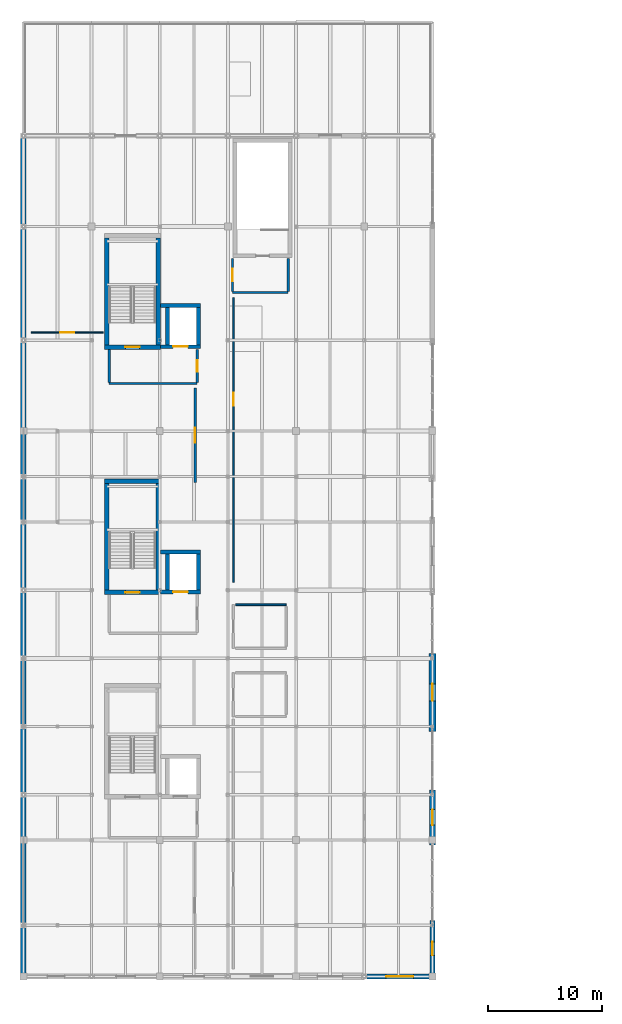
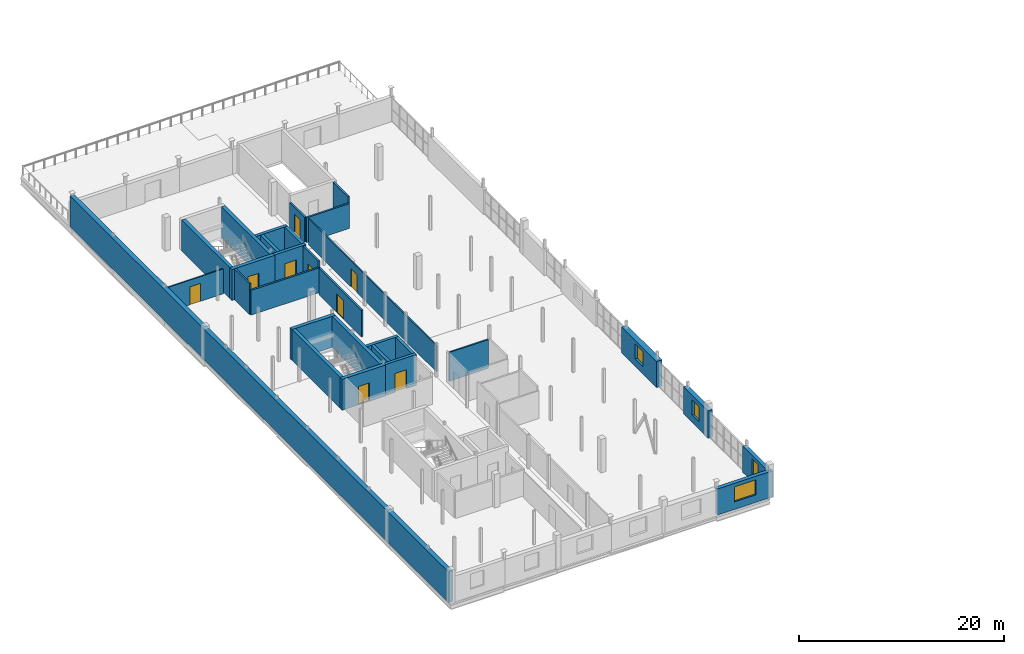
# One storey, part 31 of 35: 30 walls, 9 doors, 4 windows, 13 openings.
"""IFC4 building model written with IfcOpenShell, lengths in metres."""

from ifc_helpers import new_model, si_unit, direction, frame, frame_2d, origin, place, context, subcontext, project, spatial, rectangle, extrude, material, layer, layer_set, type_object, element, fill, save


model = new_model("IFC4")

# Units and contexts
model_context = context("Model", 3, precision=1e-05, world=origin(), true_north=direction((0.0, 1.0)))
body_context = subcontext(model_context, "Body", "Model", "MODEL_VIEW")
ifc_project = project(units=[si_unit("LENGTHUNIT", "METRE"), si_unit("AREAUNIT", "SQUARE_METRE"), si_unit("VOLUMEUNIT", "CUBIC_METRE"), si_unit("PLANEANGLEUNIT", "RADIAN"), si_unit("MASSUNIT", "GRAM", prefix="KILO")], contexts=[model_context])

# Site, building, storey
site_placement = place(None, origin())
site = spatial("IfcSite", under=ifc_project, at=site_placement, CompositionType="ELEMENT")
building_placement = place(site_placement, origin())
building = spatial("IfcBuilding", under=site, at=building_placement, Name="Verrall Gate Interchange", CompositionType="ELEMENT")
storey_placement = place(building_placement, frame((0.0, 0.0, 15.39990234375)))
storey = spatial("IfcBuildingStorey", under=building, at=storey_placement, Name="L04", CompositionType="ELEMENT", Elevation=15.39990234375)

# Wall, opening, window
ifc_material_1 = material(Name="Tyndall Dolomitic Limestone Ashlar Cavity Assembly (U=0.18)", Category="masonry")
ifc_layer_1 = layer(ifc_material_1, 0.419921875)
ifc_layer_set_1 = layer_set([ifc_layer_1], Name="Tyndall Dolomitic Limestone Ashlar Cavity Assembly (U=0.18)")
wall_type_1 = type_object("IfcWallType", Name="EW-01 Exterior Solid Wall 420", PredefinedType="SOLIDWALL", material=ifc_layer_set_1)
wall_1_placement = place(storey_placement, frame((29.991943359375, 0.0, 0.0), z_axis=(0.0, 0.0, 1.0), x_axis=(1.0, 0.0, 0.0)))
wall_1 = element("IfcWall", 1, at=wall_1_placement, inside=storey, type_object=wall_type_1, Name="L04 Classical Limestone Facade Wall 110", PredefinedType="SOLIDWALL", context=body_context, shape_type="SweptSolid", body=[
    extrude(rectangle(XDim=6.258056640625, YDim=0.419921875, at=frame_2d((3.12890625, 0.0))), origin(), (0.0, 0.0, 1.0), 3.111083984375),
])
opening_1_placement = place(wall_1_placement, frame((1.928955078125, 0.0, 0.89990234375)))
opening_1 = element("IfcOpeningElement", 2, at=opening_1_placement, cuts=wall_1, Name="Opening WN-08", PredefinedType="OPENING", context=body_context, shape_type="SweptSolid", body=[
    extrude(rectangle(XDim=2.39990234375, YDim=1.800048828125, at=frame_2d((1.199951171875, 0.89990234375))), frame((0.0, 0.224853515625, 0.0), z_axis=(0.0, -1.0, 0.0), x_axis=(1.0, 0.0, 0.0)), (0.0, 0.0, 1.0), 0.44970703125),
])
ifc_material_2 = material(Name="Triple-Glazed Low-E Argon Bronze-Clad Window Unit (U=1.40)", Category="glass")
window_type_1 = type_object("IfcWindowType", Name="WN-08 Classical Deep-Reveal Window 2400x1800", PartitioningType="SINGLE_PANEL", PredefinedType="WINDOW", material=ifc_material_2)
window_1_placement = place(opening_1_placement, origin())
window_1 = element("IfcWindow", 3, at=window_1_placement, inside=storey, type_object=window_type_1, Name="L04 Classical Window 057 (WN-08)", OverallHeight=1.800048828125, OverallWidth=2.39990234375, PartitioningType="SINGLE_PANEL", PredefinedType="WINDOW", context=body_context, shape_type="SweptSolid", body=[
    extrude(rectangle(XDim=2.39990234375, YDim=1.800048828125, at=frame_2d((1.199951171875, 0.89990234375))), frame((0.0, 0.030029296875, 0.0), z_axis=(0.0, -1.0, 0.0), x_axis=(1.0, 0.0, 0.0)), (0.0, 0.0, 1.0), 0.06005859375),
])
fill(opening_1, window_1)

wall_2_placement = place(storey_placement, frame((36.0, -0.008056640625, 0.0), z_axis=(0.0, 0.0, 1.0), x_axis=(0.0, 1.0, 0.0)))
wall_2 = element("IfcWall", 4, at=wall_2_placement, inside=storey, type_object=wall_type_1, Name="L04 Classical Limestone Facade Wall 111", PredefinedType="SOLIDWALL", context=body_context, shape_type="SweptSolid", body=[
    extrude(rectangle(XDim=4.927978515625, YDim=0.419921875, at=frame_2d((2.4638671875, 0.0))), origin(), (0.0, 0.0, 1.0), 3.111083984375),
])
opening_2_placement = place(wall_2_placement, frame((1.864013671875, 0.0, 0.89990234375)))
opening_2 = element("IfcOpeningElement", 5, at=opening_2_placement, cuts=wall_2, Name="Opening WN-01", PredefinedType="OPENING", context=body_context, shape_type="SweptSolid", body=[
    extrude(rectangle(XDim=1.199951171875, YDim=1.800048828125, at=frame_2d((0.60009765625, 0.89990234375))), frame((0.0, 0.224853515625, 0.0), z_axis=(0.0, -1.0, 0.0), x_axis=(1.0, 0.0, 0.0)), (0.0, 0.0, 1.0), 0.44970703125),
])
ifc_material_3 = material(Name="Triple-Glazed Low-E Argon Bronze-Clad Window Unit (U=1.40)", Category="glass")
window_type_2 = type_object("IfcWindowType", Name="WN-01 Classical Deep-Reveal Window 1200x1800", PartitioningType="SINGLE_PANEL", PredefinedType="WINDOW", material=ifc_material_3)
window_2_placement = place(opening_2_placement, origin())
window_2 = element("IfcWindow", 6, at=window_2_placement, inside=storey, type_object=window_type_2, Name="L04 Classical Window 058 (WN-01)", OverallHeight=1.800048828125, OverallWidth=1.199951171875, PartitioningType="SINGLE_PANEL", PredefinedType="WINDOW", context=body_context, shape_type="SweptSolid", body=[
    extrude(rectangle(XDim=1.199951171875, YDim=1.800048828125, at=frame_2d((0.60009765625, 0.89990234375))), frame((0.0, 0.030029296875, 0.0), z_axis=(0.0, -1.0, 0.0), x_axis=(1.0, 0.0, 0.0)), (0.0, 0.0, 1.0), 0.06005859375),
])
fill(opening_2, window_2)

ifc_material_4 = material(Name="Prairie Charcoal Granite Plinth Rainscreen Assembly (U=0.18)", Category="masonry")
ifc_layer_2 = layer(ifc_material_4, 0.52001953125)
ifc_layer_set_2 = layer_set([ifc_layer_2], Name="Prairie Charcoal Granite Plinth Rainscreen Assembly (U=0.18)")
wall_type_2 = type_object("IfcWallType", Name="EW-03 Exterior Solid Wall 520", PredefinedType="SOLIDWALL", material=ifc_layer_set_2)
wall_3_placement = place(storey_placement, frame((36.0, 11.580078125, 0.0), z_axis=(0.0, 0.0, 1.0), x_axis=(0.0, 1.0, 0.0)))
wall_3 = element("IfcWall", 7, at=wall_3_placement, inside=storey, type_object=wall_type_2, Name="L04 Classical Limestone Facade Wall 112", PredefinedType="SOLIDWALL", context=body_context, shape_type="SweptSolid", body=[
    extrude(rectangle(XDim=4.83984375, YDim=0.52001953125, at=frame_2d((2.419921875, 0.0))), origin(), (0.0, 0.0, 1.0), 3.239990234375),
])
opening_3_placement = place(wall_3_placement, frame((1.7451171875, 0.0, 0.89990234375)))
opening_3 = element("IfcOpeningElement", 8, at=opening_3_placement, cuts=wall_3, Name="Opening WN-02", PredefinedType="OPENING", context=body_context, shape_type="SweptSolid", body=[
    extrude(rectangle(XDim=1.35009765625, YDim=1.800048828125, at=frame_2d((0.675048828125, 0.89990234375))), frame((0.0, 0.27490234375, 0.0), z_axis=(0.0, -1.0, 0.0), x_axis=(1.0, 0.0, 0.0)), (0.0, 0.0, 1.0), 0.5498046875),
])
ifc_material_5 = material(Name="Triple-Glazed Low-E Argon Bronze-Clad Window Unit (U=1.40)", Category="glass")
window_type_3 = type_object("IfcWindowType", Name="WN-02 Classical Deep-Reveal Window 1350x1800", PartitioningType="SINGLE_PANEL", PredefinedType="WINDOW", material=ifc_material_5)
window_3_placement = place(opening_3_placement, origin())
window_3 = element("IfcWindow", 9, at=window_3_placement, inside=storey, type_object=window_type_3, Name="L04 Classical Window 059 (WN-02)", OverallHeight=1.800048828125, OverallWidth=1.35009765625, PartitioningType="SINGLE_PANEL", PredefinedType="WINDOW", context=body_context, shape_type="SweptSolid", body=[
    extrude(rectangle(XDim=1.35009765625, YDim=1.800048828125, at=frame_2d((0.675048828125, 0.89990234375))), frame((0.0, 0.030029296875, 0.0), z_axis=(0.0, -1.0, 0.0), x_axis=(1.0, 0.0, 0.0)), (0.0, 0.0, 1.0), 0.06005859375),
])
fill(opening_3, window_3)

ifc_material_6 = material(Name="Prairie Charcoal Granite Plinth Rainscreen Assembly (U=0.18)", Category="masonry")
ifc_layer_3 = layer(ifc_material_6, 0.6201171875)
ifc_layer_set_3 = layer_set([ifc_layer_3], Name="Prairie Charcoal Granite Plinth Rainscreen Assembly (U=0.18)")
wall_type_3 = type_object("IfcWallType", Name="EW-05 Exterior Solid Wall 620", PredefinedType="SOLIDWALL", material=ifc_layer_set_3)
wall_4_placement = place(storey_placement, frame((36.0, 21.580078125, 0.0), z_axis=(0.0, 0.0, 1.0), x_axis=(0.0, 1.0, 0.0)))
wall_4 = element("IfcWall", 10, at=wall_4_placement, inside=storey, type_object=wall_type_3, Name="L04 Classical Limestone Facade Wall 113", PredefinedType="SOLIDWALL", context=body_context, shape_type="SweptSolid", body=[
    extrude(rectangle(XDim=6.83984375, YDim=0.6201171875, at=frame_2d((3.419921875, 0.0))), origin(), (0.0, 0.0, 1.0), 3.111083984375),
])
opening_4_placement = place(wall_4_placement, frame((2.669921875, 0.0, 0.89990234375)))
opening_4 = element("IfcOpeningElement", 11, at=opening_4_placement, cuts=wall_4, Name="Opening WN-03", PredefinedType="OPENING", context=body_context, shape_type="SweptSolid", body=[
    extrude(rectangle(XDim=1.5, YDim=1.800048828125, at=frame_2d((0.75, 0.89990234375))), frame((0.0, 0.324951171875, 0.0), z_axis=(0.0, -1.0, 0.0), x_axis=(1.0, 0.0, 0.0)), (0.0, 0.0, 1.0), 0.64990234375),
])
ifc_material_7 = material(Name="Triple-Glazed Low-E Argon Bronze-Clad Window Unit (U=1.40)", Category="glass")
window_type_4 = type_object("IfcWindowType", Name="WN-03 Classical Deep-Reveal Window 1500x1800", PartitioningType="SINGLE_PANEL", PredefinedType="WINDOW", material=ifc_material_7)
window_4_placement = place(opening_4_placement, origin())
window_4 = element("IfcWindow", 12, at=window_4_placement, inside=storey, type_object=window_type_4, Name="L04 Classical Window 060 (WN-03)", OverallHeight=1.800048828125, OverallWidth=1.5, PartitioningType="SINGLE_PANEL", PredefinedType="WINDOW", context=body_context, shape_type="SweptSolid", body=[
    extrude(rectangle(XDim=1.5, YDim=1.800048828125, at=frame_2d((0.75, 0.89990234375))), frame((0.0, 0.030029296875, 0.0), z_axis=(0.0, -1.0, 0.0), x_axis=(1.0, 0.0, 0.0)), (0.0, 0.0, 1.0), 0.06005859375),
])
fill(opening_4, window_4)

# Walls
ifc_material_8 = material(Name="Concrete CSA A23.1 35 MPa Zero-Lot 2h Party Wall (U=0.18)", Category="concrete")
ifc_layer_4 = layer(ifc_material_8, 0.5)
ifc_layer_set_4 = layer_set([ifc_layer_4], Name="Concrete CSA A23.1 35 MPa Zero-Lot 2h Party Wall (U=0.18)")
wall_type_4 = type_object("IfcWallType", Name="EW-PTY Exterior Solid Wall 500", PredefinedType="SOLIDWALL", material=ifc_layer_set_4)
wall_5_placement = place(storey_placement, frame((0.0, -0.008056640625, 0.0), z_axis=(0.0, 0.0, 1.0), x_axis=(0.0, 1.0, 0.0)))
element("IfcWall", 13, at=wall_5_placement, inside=storey, type_object=wall_type_4, Name="L04 West Zero-Lot 2h Party Wall 004", PredefinedType="SOLIDWALL", context=body_context, shape_type="SweptSolid", body=[
    extrude(rectangle(XDim=74.01611328125, YDim=0.5, at=frame_2d((37.008056640625, 0.0))), origin(), (0.0, 0.0, 1.0), 3.68017578125),
])
ifc_material_9 = material(Name="Fire-Rated Type X Gypsum Stud Partition Assembly (60 min)", Category="gypsum")
ifc_layer_5 = layer(ifc_material_9, 0.199951171875)
ifc_layer_set_5 = layer_set([ifc_layer_5], Name="Fire-Rated Type X Gypsum Stud Partition Assembly (60 min)")
wall_type_5 = type_object("IfcWallType", Name="IW-01 Interior Partition Wall 200", PredefinedType="PARTITIONING", material=ifc_layer_set_5)
wall_6_placement = place(storey_placement, frame((7.550048828125, 52.199951171875, 0.0), z_axis=(0.0, 0.0, 1.0), x_axis=(1.0, 0.0, 0.0)))
element("IfcWall", 14, at=wall_6_placement, inside=storey, type_object=wall_type_5, Name="L04 Core C3 Lobby South Rated Wall", PredefinedType="PARTITIONING", context=body_context, shape_type="SweptSolid", body=[
    extrude(rectangle(XDim=7.75, YDim=0.199951171875, at=frame_2d((3.875, 0.0))), origin(), (0.0, 0.0, 1.0), 2.95703125),
])
wall_7_placement = place(storey_placement, frame((7.550048828125, 55.199951171875, 0.0), z_axis=(0.0, 0.0, 1.0), x_axis=(0.0, -1.0, 0.0)))
element("IfcWall", 15, at=wall_7_placement, inside=storey, type_object=wall_type_5, Name="L04 Core C3 Lobby West Rated Wall", PredefinedType="PARTITIONING", context=body_context, shape_type="SweptSolid", body=[
    extrude(rectangle(XDim=2.919921875, YDim=0.199951171875, at=frame_2d((1.4599609375, 0.0))), origin(), (0.0, 0.0, 1.0), 3.68017578125),
])

# Wall, opening, door
wall_8_placement = place(storey_placement, frame((15.300048828125, 52.280029296875, 0.0), z_axis=(0.0, 0.0, 1.0), x_axis=(0.0, 1.0, 0.0)))
wall_8 = element("IfcWall", 16, at=wall_8_placement, inside=storey, type_object=wall_type_5, Name="L04 Core C3 Lobby East Rated Wall", PredefinedType="PARTITIONING", context=body_context, shape_type="SweptSolid", body=[
    extrude(rectangle(XDim=2.919921875, YDim=0.199951171875, at=frame_2d((1.4599609375, 0.0))), origin(), (0.0, 0.0, 1.0), 3.68017578125),
])
opening_5_placement = place(wall_8_placement, frame((0.9599609375, 0.0, 0.0)))
opening_5 = element("IfcOpeningElement", 17, at=opening_5_placement, cuts=wall_8, Name="Opening LBD049", PredefinedType="OPENING", context=body_context, shape_type="SweptSolid", body=[
    extrude(rectangle(XDim=1.0, YDim=2.14990234375, at=frame_2d((0.5, 1.074951171875))), frame((0.0, 0.11474609375, 0.0), z_axis=(0.0, -1.0, 0.0), x_axis=(1.0, 0.0, 0.0)), (0.0, 0.0, 1.0), 0.229736328125),
])
ifc_material_10 = material(Name="Hollow-Metal Fire-Rated Door Assembly", Category="metal")
door_type_1 = type_object("IfcDoorType", Name="ID-05 Interior Swing Door 1000x2150", OperationType="NOTDEFINED", PredefinedType="DOOR", material=ifc_material_10)
door_1_placement = place(opening_5_placement, origin())
door_1 = element("IfcDoor", 18, at=door_1_placement, inside=storey, type_object=door_type_1, Name="L04 Core C3 Lobby Fire Door LBD049", OperationType="SINGLE_SWING_LEFT", OverallHeight=2.14990234375, OverallWidth=1.0, PredefinedType="DOOR", context=body_context, shape_type="SweptSolid", body=[
    extrude(rectangle(XDim=1.0, YDim=2.14990234375, at=frame_2d((0.5, 1.074951171875))), frame((0.0, 0.02490234375, 0.0), z_axis=(0.0, -1.0, 0.0), x_axis=(1.0, 0.0, 0.0)), (0.0, 0.0, 1.0), 0.050048828125),
])
fill(opening_5, door_1)

# Wall
wall_9_placement = place(storey_placement, frame((18.39990234375, 60.199951171875, 0.0), z_axis=(0.0, 0.0, 1.0), x_axis=(1.0, 0.0, 0.0)))
element("IfcWall", 19, at=wall_9_placement, inside=storey, type_object=wall_type_5, Name="L04 Core C4 Lobby South Rated Wall", PredefinedType="PARTITIONING", context=body_context, shape_type="SweptSolid", body=[
    extrude(rectangle(XDim=4.900146484375, YDim=0.199951171875, at=frame_2d((2.4501953125, 0.0))), origin(), (0.0, 0.0, 1.0), 2.95703125),
])

# Wall, opening, door
wall_10_placement = place(storey_placement, frame((18.39990234375, 63.199951171875, 0.0), z_axis=(0.0, 0.0, 1.0), x_axis=(0.0, -1.0, 0.0)))
wall_10 = element("IfcWall", 20, at=wall_10_placement, inside=storey, type_object=wall_type_5, Name="L04 Core C4 Lobby West Rated Wall", PredefinedType="PARTITIONING", context=body_context, shape_type="SweptSolid", body=[
    extrude(rectangle(XDim=2.919921875, YDim=0.199951171875, at=frame_2d((1.4599609375, 0.0))), origin(), (0.0, 0.0, 1.0), 2.95703125),
])
opening_6_placement = place(wall_10_placement, frame((0.909912109375, 0.0, 0.0)))
opening_6 = element("IfcOpeningElement", 21, at=opening_6_placement, cuts=wall_10, Name="Opening LBD062", PredefinedType="OPENING", context=body_context, shape_type="SweptSolid", body=[
    extrude(rectangle(XDim=1.10009765625, YDim=2.14990234375, at=frame_2d((0.550048828125, 1.074951171875))), frame((0.0, 0.11474609375, 0.0), z_axis=(0.0, -1.0, 0.0), x_axis=(1.0, 0.0, 0.0)), (0.0, 0.0, 1.0), 0.229736328125),
])
ifc_material_11 = material(Name="Hollow-Metal Fire-Rated Door Assembly", Category="metal")
door_type_2 = type_object("IfcDoorType", Name="ID-06 Interior Swing Door 1100x2150", OperationType="NOTDEFINED", PredefinedType="DOOR", material=ifc_material_11)
door_2_placement = place(opening_6_placement, origin())
door_2 = element("IfcDoor", 22, at=door_2_placement, inside=storey, type_object=door_type_2, Name="L04 Core C4 Lobby Fire Door LBD062", OperationType="SINGLE_SWING_RIGHT", OverallHeight=2.14990234375, OverallWidth=1.10009765625, PredefinedType="DOOR", context=body_context, shape_type="SweptSolid", body=[
    extrude(rectangle(XDim=1.10009765625, YDim=2.14990234375, at=frame_2d((0.550048828125, 1.074951171875))), frame((0.0, 0.02490234375, 0.0), z_axis=(0.0, -1.0, 0.0), x_axis=(1.0, 0.0, 0.0)), (0.0, 0.0, 1.0), 0.050048828125),
])
fill(opening_6, door_2)

# Wall
wall_11_placement = place(storey_placement, frame((23.300048828125, 60.280029296875, 0.0), z_axis=(0.0, 0.0, 1.0), x_axis=(0.0, 1.0, 0.0)))
element("IfcWall", 23, at=wall_11_placement, inside=storey, type_object=wall_type_5, Name="L04 Core C4 Lobby East Rated Wall", PredefinedType="PARTITIONING", context=body_context, shape_type="SweptSolid", body=[
    extrude(rectangle(XDim=2.919921875, YDim=0.199951171875, at=frame_2d((1.4599609375, 0.0))), origin(), (0.0, 0.0, 1.0), 3.68017578125),
])

# Wall, opening, door
wall_12_placement = place(storey_placement, frame((15.1201171875, 51.802490234375, 0.0), z_axis=(0.0, 0.0, 1.0), x_axis=(0.0, -1.0, 0.0)))
wall_12 = element("IfcWall", 24, at=wall_12_placement, inside=storey, type_object=wall_type_5, Name="L04 Simulator Computer and Electrical Room Partition 076", PredefinedType="PARTITIONING", context=body_context, shape_type="SweptSolid", body=[
    extrude(rectangle(XDim=8.322509765625, YDim=0.199951171875, at=frame_2d((4.1611328125, 0.0))), origin(), (0.0, 0.0, 1.0), 3.18701171875),
])
opening_7_placement = place(wall_12_placement, frame((3.501220703125, 0.0, 0.0)))
opening_7 = element("IfcOpeningElement", 25, at=opening_7_placement, cuts=wall_12, Name="Opening D054", PredefinedType="OPENING", context=body_context, shape_type="SweptSolid", body=[
    extrude(rectangle(XDim=1.320068359375, YDim=2.199951171875, at=frame_2d((0.66015625, 1.10009765625))), frame((0.0, 0.11474609375, 0.0), z_axis=(0.0, -1.0, 0.0), x_axis=(1.0, 0.0, 0.0)), (0.0, 0.0, 1.0), 0.229736328125),
])
ifc_material_12 = material(Name="Hollow-Metal Fire-Rated Door Assembly", Category="metal")
door_type_3 = type_object("IfcDoorType", Name="ID-08 Interior Swing Door 1320x2200", OperationType="NOTDEFINED", PredefinedType="DOOR", material=ifc_material_12)
door_3_placement = place(opening_7_placement, origin())
door_3 = element("IfcDoor", 26, at=door_3_placement, inside=storey, type_object=door_type_3, Name="L04 Simulator Computer and Electrical Room Door D054", OperationType="SINGLE_SWING_LEFT", OverallHeight=2.199951171875, OverallWidth=1.320068359375, PredefinedType="DOOR", context=body_context, shape_type="SweptSolid", body=[
    extrude(rectangle(XDim=1.320068359375, YDim=2.199951171875, at=frame_2d((0.66015625, 1.10009765625))), frame((0.0, 0.02490234375, 0.0), z_axis=(0.0, -1.0, 0.0), x_axis=(1.0, 0.0, 0.0)), (0.0, 0.0, 1.0), 0.050048828125),
])
fill(opening_7, door_3)

# Wall
ifc_material_13 = material(Name="Fire-Rated Type X Gypsum Stud Partition Assembly (60 min)", Category="gypsum")
ifc_layer_6 = layer(ifc_material_13, 0.159912109375)
ifc_layer_set_6 = layer_set([ifc_layer_6], Name="Fire-Rated Type X Gypsum Stud Partition Assembly (60 min)")
wall_type_6 = type_object("IfcWallType", Name="IW-02 Interior Partition Wall 160", PredefinedType="PARTITIONING", material=ifc_layer_set_6)
wall_13_placement = place(storey_placement, frame((18.679931640625, 32.719970703125, 0.0), z_axis=(0.0, 0.0, 1.0), x_axis=(1.0, 0.0, 0.0)))
element("IfcWall", 27, at=wall_13_placement, inside=storey, type_object=wall_type_6, Name="L04 L04 Accessible Washroom Partition 069", PredefinedType="PARTITIONING", context=body_context, shape_type="SweptSolid", body=[
    extrude(rectangle(XDim=4.440185546875, YDim=0.159912109375, at=frame_2d((2.22021484375, 0.0))), origin(), (0.0, 0.0, 1.0), 3.447021484375),
])

# Wall, opening, door
ifc_material_14 = material(Name="Acoustic Steel-Stud Partition Assembly", Category="steel")
ifc_layer_7 = layer(ifc_material_14, 0.139892578125)
ifc_layer_set_7 = layer_set([ifc_layer_7], Name="Acoustic Steel-Stud Partition Assembly")
wall_type_7 = type_object("IfcWallType", Name="IW-03 Interior Partition Wall 140", PredefinedType="PARTITIONING", material=ifc_layer_set_7)
wall_14_placement = place(storey_placement, frame((18.47998046875, 34.679931640625, 0.0), z_axis=(0.0, 0.0, 1.0), x_axis=(0.0, 1.0, 0.0)))
wall_14 = element("IfcWall", 28, at=wall_14_placement, inside=storey, type_object=wall_type_7, Name="L04 Signalling Training Classroom Partition 073", PredefinedType="PARTITIONING", context=body_context, shape_type="SweptSolid", body=[
    extrude(rectangle(XDim=25.06396484375, YDim=0.139892578125, at=frame_2d((12.531982421875, 0.0))), origin(), (0.0, 0.0, 1.0), 3.111083984375),
])
opening_8_placement = place(wall_14_placement, frame((15.550537109375, 0.0, 0.0)))
opening_8 = element("IfcOpeningElement", 29, at=opening_8_placement, cuts=wall_14, Name="Opening D051", PredefinedType="OPENING", context=body_context, shape_type="SweptSolid", body=[
    extrude(rectangle(XDim=1.139892578125, YDim=2.14990234375, at=frame_2d((0.56982421875, 1.074951171875))), frame((0.0, 0.0849609375, 0.0), z_axis=(0.0, -1.0, 0.0), x_axis=(1.0, 0.0, 0.0)), (0.0, 0.0, 1.0), 0.169677734375),
])
ifc_material_15 = material(Name="Architectural Solid-Core Birch Acoustic Door Assembly", Category="wood")
door_type_4 = type_object("IfcDoorType", Name="ID-14 Interior Swing Door 1140x2150", OperationType="NOTDEFINED", PredefinedType="DOOR", material=ifc_material_15)
door_4_placement = place(opening_8_placement, origin())
door_4 = element("IfcDoor", 30, at=door_4_placement, inside=storey, type_object=door_type_4, Name="L04 Signalling Training Classroom Door D051", OperationType="SINGLE_SWING_RIGHT", OverallHeight=2.14990234375, OverallWidth=1.139892578125, PredefinedType="DOOR", context=body_context, shape_type="SweptSolid", body=[
    extrude(rectangle(XDim=1.139892578125, YDim=2.14990234375, at=frame_2d((0.56982421875, 1.074951171875))), frame((0.0, 0.02490234375, 0.0), z_axis=(0.0, -1.0, 0.0), x_axis=(1.0, 0.0, 0.0)), (0.0, 0.0, 1.0), 0.050048828125),
])
fill(opening_8, door_4)

ifc_material_16 = material(Name="Acoustic Steel-Stud Partition Assembly", Category="steel")
ifc_layer_8 = layer(ifc_material_16, 0.1201171875)
ifc_layer_set_8 = layer_set([ifc_layer_8], Name="Acoustic Steel-Stud Partition Assembly")
wall_type_8 = type_object("IfcWallType", Name="IW-04 Interior Partition Wall 120", PredefinedType="PARTITIONING", material=ifc_layer_set_8)
wall_15_placement = place(storey_placement, frame((7.030029296875, 56.679931640625, 0.0), z_axis=(0.0, 0.0, 1.0), x_axis=(-1.0, 0.0, 0.0)))
wall_15 = element("IfcWall", 31, at=wall_15_placement, inside=storey, type_object=wall_type_8, Name="L04 Network Engineering Office Partition 074", PredefinedType="PARTITIONING", context=body_context, shape_type="SweptSolid", body=[
    extrude(rectangle(XDim=6.35009765625, YDim=0.1201171875, at=frame_2d((3.175048828125, 0.0))), origin(), (0.0, 0.0, 1.0), 2.95703125),
])
opening_9_placement = place(wall_15_placement, frame((2.574951171875, 0.0, 0.0)))
opening_9 = element("IfcOpeningElement", 32, at=opening_9_placement, cuts=wall_15, Name="Opening D052", PredefinedType="OPENING", context=body_context, shape_type="SweptSolid", body=[
    extrude(rectangle(XDim=1.199951171875, YDim=2.14990234375, at=frame_2d((0.60009765625, 1.074951171875))), frame((0.0, 0.074951171875, 0.0), z_axis=(0.0, -1.0, 0.0), x_axis=(1.0, 0.0, 0.0)), (0.0, 0.0, 1.0), 0.14990234375),
])
ifc_material_17 = material(Name="Architectural Solid-Core Birch Acoustic Door Assembly", Category="wood")
door_type_5 = type_object("IfcDoorType", Name="ID-15 Interior Swing Door 1200x2150", OperationType="NOTDEFINED", PredefinedType="DOOR", material=ifc_material_17)
door_5_placement = place(opening_9_placement, origin())
door_5 = element("IfcDoor", 33, at=door_5_placement, inside=storey, type_object=door_type_5, Name="L04 Network Engineering Office Door D052", OperationType="SINGLE_SWING_LEFT", OverallHeight=2.14990234375, OverallWidth=1.199951171875, PredefinedType="DOOR", context=body_context, shape_type="SweptSolid", body=[
    extrude(rectangle(XDim=1.199951171875, YDim=2.14990234375, at=frame_2d((0.60009765625, 1.074951171875))), frame((0.0, 0.02490234375, 0.0), z_axis=(0.0, -1.0, 0.0), x_axis=(1.0, 0.0, 0.0)), (0.0, 0.0, 1.0), 0.050048828125),
])
fill(opening_9, door_5)

ifc_material_18 = material(Name="Concrete CSA A23.1 40 MPa (Class N)", Category="concrete")
ifc_layer_9 = layer(ifc_material_18, 0.39990234375)
ifc_layer_set_9 = layer_set([ifc_layer_9], Name="Concrete CSA A23.1 40 MPa (Class N)")
wall_type_9 = type_object("IfcWallType", Name="SW-01 Core Shear Wall 400", PredefinedType="SHEAR", material=ifc_layer_set_9)
wall_16_placement = place(storey_placement, frame((7.14990234375, 33.800048828125, 0.0), z_axis=(0.0, 0.0, 1.0), x_axis=(1.0, 0.0, 0.0)))
wall_16 = element("IfcWall", 34, at=wall_16_placement, inside=storey, type_object=wall_type_9, Name="L04 Core C2 South Shear Wall", PredefinedType="SHEAR", context=body_context, shape_type="SweptSolid", body=[
    extrude(rectangle(XDim=4.900146484375, YDim=0.39990234375, at=frame_2d((2.4501953125, 0.0))), origin(), (0.0, 0.0, 1.0), 3.7001953125),
])
opening_10_placement = place(wall_16_placement, frame((1.824951171875, 0.0, 0.0)))
opening_10 = element("IfcOpeningElement", 35, at=opening_10_placement, cuts=wall_16, Name="Opening SD024", PredefinedType="OPENING", context=body_context, shape_type="SweptSolid", body=[
    extrude(rectangle(XDim=1.25, YDim=2.199951171875, at=frame_2d((0.625, 1.10009765625))), frame((0.0, 0.21484375, 0.0), z_axis=(0.0, -1.0, 0.0), x_axis=(1.0, 0.0, 0.0)), (0.0, 0.0, 1.0), 0.4296875),
])
ifc_material_19 = material(Name="Hollow-Metal Fire-Rated Door Assembly", Category="metal")
door_type_6 = type_object("IfcDoorType", Name="ID-03 Interior Swing Door 1250x2200", OperationType="NOTDEFINED", PredefinedType="DOOR", material=ifc_material_19)
door_6_placement = place(opening_10_placement, origin())
door_6 = element("IfcDoor", 36, at=door_6_placement, inside=storey, type_object=door_type_6, Name="L04 Stair ST-02 Fire Door SD024", OperationType="SINGLE_SWING_RIGHT", OverallHeight=2.199951171875, OverallWidth=1.25, PredefinedType="DOOR", context=body_context, shape_type="SweptSolid", body=[
    extrude(rectangle(XDim=1.25, YDim=2.199951171875, at=frame_2d((0.625, 1.10009765625))), frame((0.0, 0.02490234375, 0.0), z_axis=(0.0, -1.0, 0.0), x_axis=(1.0, 0.0, 0.0)), (0.0, 0.0, 1.0), 0.050048828125),
])
fill(opening_10, door_6)

# Walls
wall_17_placement = place(storey_placement, frame((12.050048828125, 43.60009765625, 0.0), z_axis=(0.0, 0.0, 1.0), x_axis=(-1.0, 0.0, 0.0)))
element("IfcWall", 37, at=wall_17_placement, inside=storey, type_object=wall_type_9, Name="L04 Core C2 North Shear Wall", PredefinedType="SHEAR", context=body_context, shape_type="SweptSolid", body=[
    extrude(rectangle(XDim=4.900146484375, YDim=0.39990234375, at=frame_2d((2.4501953125, 0.0))), origin(), (0.0, 0.0, 1.0), 3.7001953125),
])
for number, where, z_axis, x_axis, name in (
    (38, (7.35009765625, 43.39990234375, 0.0), (0.0, 0.0, 1.0), (0.0, -1.0, 0.0), "L04 Core C2 West Shear Wall"),
    (39, (11.85009765625, 34.0, 0.0), (0.0, 0.0, 1.0), (0.0, 1.0, 0.0), "L04 Core C2 East Shear Wall"),
):
    element("IfcWall", number, at=place(storey_placement, frame(where, z_axis=z_axis, x_axis=x_axis)), inside=storey, type_object=wall_type_9, Name=name, PredefinedType="SHEAR", context=body_context, shape_type="SweptSolid", body=[
        extrude(rectangle(XDim=9.39990234375, YDim=0.39990234375, at=frame_2d((4.699951171875, 0.0))), origin(), (0.0, 0.0, 1.0), 3.7001953125),
    ])

# Wall, opening, door
wall_18_placement = place(storey_placement, frame((7.14990234375, 55.39990234375, 0.0), z_axis=(0.0, 0.0, 1.0), x_axis=(1.0, 0.0, 0.0)))
wall_18 = element("IfcWall", 40, at=wall_18_placement, inside=storey, type_object=wall_type_9, Name="L04 Core C3 South Shear Wall", PredefinedType="SHEAR", context=body_context, shape_type="SweptSolid", body=[
    extrude(rectangle(XDim=4.900146484375, YDim=0.39990234375, at=frame_2d((2.4501953125, 0.0))), origin(), (0.0, 0.0, 1.0), 3.7001953125),
])
opening_11_placement = place(wall_18_placement, frame((1.824951171875, 0.0, 0.0)))
opening_11 = element("IfcOpeningElement", 41, at=opening_11_placement, cuts=wall_18, Name="Opening SD042", PredefinedType="OPENING", context=body_context, shape_type="SweptSolid", body=[
    extrude(rectangle(XDim=1.25, YDim=2.199951171875, at=frame_2d((0.625, 1.10009765625))), frame((0.0, 0.21484375, 0.0), z_axis=(0.0, -1.0, 0.0), x_axis=(1.0, 0.0, 0.0)), (0.0, 0.0, 1.0), 0.4296875),
])
door_7_placement = place(opening_11_placement, origin())
door_7 = element("IfcDoor", 42, at=door_7_placement, inside=storey, type_object=door_type_6, Name="L04 Stair ST-03 Fire Door SD042", OperationType="SINGLE_SWING_RIGHT", OverallHeight=2.199951171875, OverallWidth=1.25, PredefinedType="DOOR", context=body_context, shape_type="SweptSolid", body=[
    extrude(rectangle(XDim=1.25, YDim=2.199951171875, at=frame_2d((0.625, 1.10009765625))), frame((0.0, 0.02490234375, 0.0), z_axis=(0.0, -1.0, 0.0), x_axis=(1.0, 0.0, 0.0)), (0.0, 0.0, 1.0), 0.050048828125),
])
fill(opening_11, door_7)

# Walls
for number, where, z_axis, x_axis, name in (
    (43, (7.35009765625, 65.0, 0.0), (0.0, 0.0, 1.0), (0.0, -1.0, 0.0), "L04 Core C3 West Shear Wall"),
    (44, (11.85009765625, 55.60009765625, 0.0), (0.0, 0.0, 1.0), (0.0, 1.0, 0.0), "L04 Core C3 East Shear Wall"),
):
    element("IfcWall", number, at=place(storey_placement, frame(where, z_axis=z_axis, x_axis=x_axis)), inside=storey, type_object=wall_type_9, Name=name, PredefinedType="SHEAR", context=body_context, shape_type="SweptSolid", body=[
        extrude(rectangle(XDim=9.39990234375, YDim=0.39990234375, at=frame_2d((4.699951171875, 0.0))), origin(), (0.0, 0.0, 1.0), 3.7001953125),
    ])

# Wall, opening, door
ifc_material_20 = material(Name="Concrete CSA A23.1 40 MPa (Class N)", Category="concrete")
ifc_layer_10 = layer(ifc_material_20, 0.340087890625)
ifc_layer_set_10 = layer_set([ifc_layer_10], Name="Concrete CSA A23.1 40 MPa (Class N)")
wall_type_10 = type_object("IfcWallType", Name="SW-02 Core Shear Wall 340", PredefinedType="SHEAR", material=ifc_layer_set_10)
wall_19_placement = place(storey_placement, frame((12.050048828125, 33.830078125, 0.0), z_axis=(0.0, 0.0, 1.0), x_axis=(1.0, 0.0, 0.0)))
wall_19 = element("IfcWall", 45, at=wall_19_placement, inside=storey, type_object=wall_type_10, Name="L04 Elevator EL-02 South Shaft Wall", PredefinedType="SHEAR", context=body_context, shape_type="SweptSolid", body=[
    extrude(rectangle(XDim=3.5400390625, YDim=0.340087890625, at=frame_2d((1.77001953125, 0.0))), origin(), (0.0, 0.0, 1.0), 3.7001953125),
])
opening_12_placement = place(wall_19_placement, frame((1.1201171875, 0.0, 0.0)))
opening_12 = element("IfcOpeningElement", 46, at=opening_12_placement, cuts=wall_19, Name="Opening LD-02-L04", PredefinedType="OPENING", context=body_context, shape_type="SweptSolid", body=[
    extrude(rectangle(XDim=1.300048828125, YDim=2.25, at=frame_2d((0.64990234375, 1.125))), frame((0.0, 0.18505859375, 0.0), z_axis=(0.0, -1.0, 0.0), x_axis=(1.0, 0.0, 0.0)), (0.0, 0.0, 1.0), 0.369873046875),
])
ifc_material_21 = material(Name="Stainless-Steel Elevator Landing Sliding Door Assembly", Category="steel")
door_type_7 = type_object("IfcDoorType", Name="LD-03 Elevator Sliding Landing Door 1300x2250", OperationType="NOTDEFINED", PredefinedType="DOOR", material=ifc_material_21)
door_8_placement = place(opening_12_placement, origin())
door_8 = element("IfcDoor", 47, at=door_8_placement, inside=storey, type_object=door_type_7, Name="L04 Elevator EL-02 Sliding Landing Door", OperationType="DOUBLE_DOOR_SLIDING", OverallHeight=2.25, OverallWidth=1.300048828125, PredefinedType="DOOR", context=body_context, shape_type="SweptSolid", body=[
    extrude(rectangle(XDim=1.300048828125, YDim=2.25, at=frame_2d((0.64990234375, 1.125))), frame((0.0, 0.02490234375, 0.0), z_axis=(0.0, -1.0, 0.0), x_axis=(1.0, 0.0, 0.0)), (0.0, 0.0, 1.0), 0.050048828125),
])
fill(opening_12, door_8)

# Walls
wall_20_placement = place(storey_placement, frame((15.590087890625, 37.3701171875, 0.0), z_axis=(0.0, 0.0, 1.0), x_axis=(-1.0, 0.0, 0.0)))
element("IfcWall", 48, at=wall_20_placement, inside=storey, type_object=wall_type_10, Name="L04 Elevator EL-02 North Shaft Wall", PredefinedType="SHEAR", context=body_context, shape_type="SweptSolid", body=[
    extrude(rectangle(XDim=3.5400390625, YDim=0.340087890625, at=frame_2d((1.77001953125, 0.0))), origin(), (0.0, 0.0, 1.0), 3.7001953125),
])
for number, where, z_axis, x_axis, name in (
    (49, (12.679931640625, 37.199951171875, 0.0), (0.0, 0.0, 1.0), (0.0, -1.0, 0.0), "L04 Elevator EL-02 West Shaft Wall"),
    (50, (15.419921875, 34.0, 0.0), (0.0, 0.0, 1.0), (0.0, 1.0, 0.0), "L04 Elevator EL-02 East Shaft Wall"),
):
    element("IfcWall", number, at=place(storey_placement, frame(where, z_axis=z_axis, x_axis=x_axis)), inside=storey, type_object=wall_type_10, Name=name, PredefinedType="SHEAR", context=body_context, shape_type="SweptSolid", body=[
        extrude(rectangle(XDim=3.199951171875, YDim=0.340087890625, at=frame_2d((1.60009765625, 0.0))), origin(), (0.0, 0.0, 1.0), 3.7001953125),
    ])

# Wall, opening, door
wall_21_placement = place(storey_placement, frame((12.050048828125, 55.429931640625, 0.0), z_axis=(0.0, 0.0, 1.0), x_axis=(1.0, 0.0, 0.0)))
wall_21 = element("IfcWall", 51, at=wall_21_placement, inside=storey, type_object=wall_type_10, Name="L04 Elevator EL-08 South Shaft Wall", PredefinedType="SHEAR", context=body_context, shape_type="SweptSolid", body=[
    extrude(rectangle(XDim=3.5400390625, YDim=0.340087890625, at=frame_2d((1.77001953125, 0.0))), origin(), (0.0, 0.0, 1.0), 3.7001953125),
])
opening_13_placement = place(wall_21_placement, frame((1.1201171875, 0.0, 0.0)))
opening_13 = element("IfcOpeningElement", 52, at=opening_13_placement, cuts=wall_21, Name="Opening LD-08-L04", PredefinedType="OPENING", context=body_context, shape_type="SweptSolid", body=[
    extrude(rectangle(XDim=1.300048828125, YDim=2.25, at=frame_2d((0.64990234375, 1.125))), frame((0.0, 0.18505859375, 0.0), z_axis=(0.0, -1.0, 0.0), x_axis=(1.0, 0.0, 0.0)), (0.0, 0.0, 1.0), 0.369873046875),
])
door_9_placement = place(opening_13_placement, origin())
door_9 = element("IfcDoor", 53, at=door_9_placement, inside=storey, type_object=door_type_7, Name="L04 Elevator EL-08 Sliding Landing Door", OperationType="DOUBLE_DOOR_SLIDING", OverallHeight=2.25, OverallWidth=1.300048828125, PredefinedType="DOOR", context=body_context, shape_type="SweptSolid", body=[
    extrude(rectangle(XDim=1.300048828125, YDim=2.25, at=frame_2d((0.64990234375, 1.125))), frame((0.0, 0.02490234375, 0.0), z_axis=(0.0, -1.0, 0.0), x_axis=(1.0, 0.0, 0.0)), (0.0, 0.0, 1.0), 0.050048828125),
])
fill(opening_13, door_9)

# Walls
wall_22_placement = place(storey_placement, frame((15.590087890625, 59.070068359375, 0.0), z_axis=(0.0, 0.0, 1.0), x_axis=(-1.0, 0.0, 0.0)))
element("IfcWall", 54, at=wall_22_placement, inside=storey, type_object=wall_type_10, Name="L04 Elevator EL-08 North Shaft Wall", PredefinedType="SHEAR", context=body_context, shape_type="SweptSolid", body=[
    extrude(rectangle(XDim=3.5400390625, YDim=0.340087890625, at=frame_2d((1.77001953125, 0.0))), origin(), (0.0, 0.0, 1.0), 3.7001953125),
])
for number, where, z_axis, x_axis, name in (
    (55, (12.679931640625, 58.89990234375, 0.0), (0.0, 0.0, 1.0), (0.0, -1.0, 0.0), "L04 Elevator EL-08 West Shaft Wall"),
    (56, (15.419921875, 55.60009765625, 0.0), (0.0, 0.0, 1.0), (0.0, 1.0, 0.0), "L04 Elevator EL-08 East Shaft Wall"),
):
    element("IfcWall", number, at=place(storey_placement, frame(where, z_axis=z_axis, x_axis=x_axis)), inside=storey, type_object=wall_type_10, Name=name, PredefinedType="SHEAR", context=body_context, shape_type="SweptSolid", body=[
        extrude(rectangle(XDim=3.2998046875, YDim=0.340087890625, at=frame_2d((1.64990234375, 0.0))), origin(), (0.0, 0.0, 1.0), 3.7001953125),
    ])

save(model, "model.ifc")
